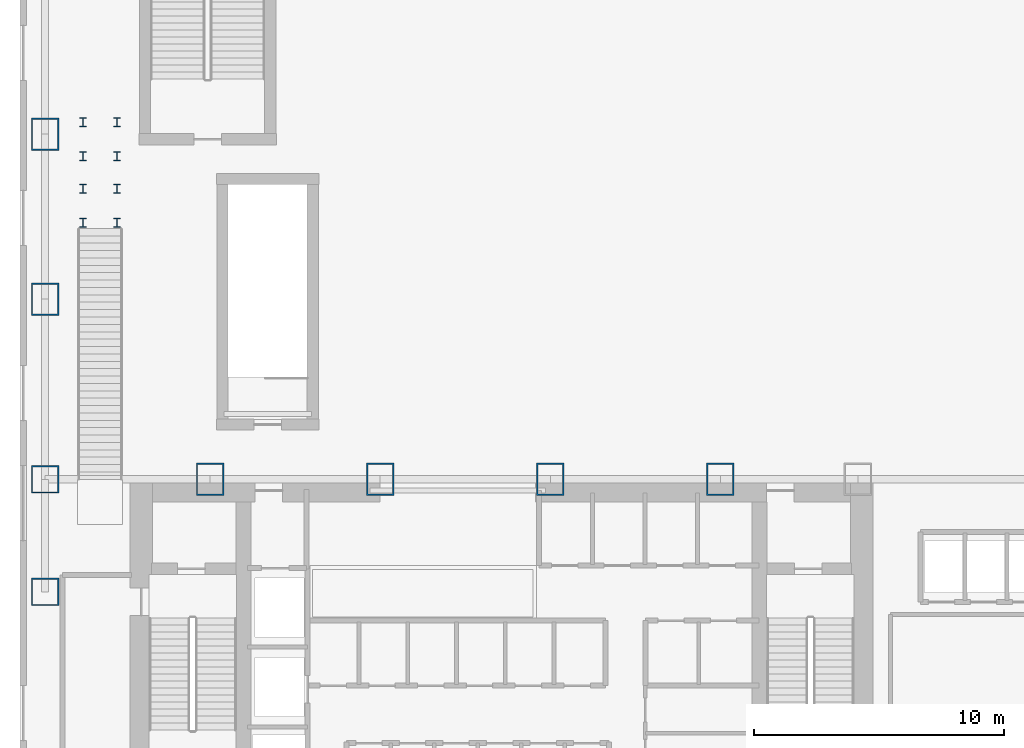
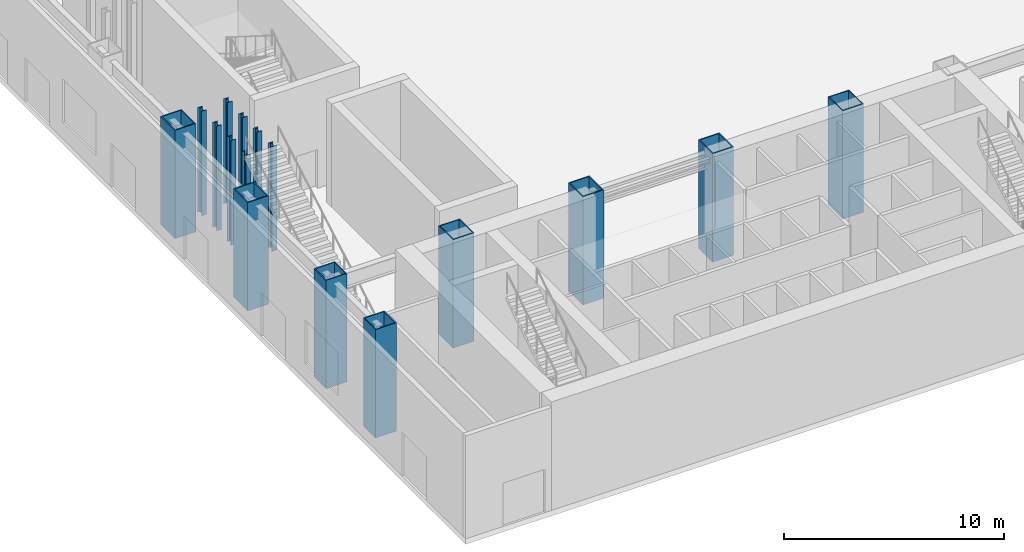
# One storey, part 1 of 25: 16 columns.
"""IFC4 building model written with IfcOpenShell, lengths in metres."""

from ifc_helpers import new_model, si_unit, derived_unit, direction, frame, origin, origin_2d, place, context, subcontext, project, spatial, hollow_rectangle, i_section, extrude, source, transform, mapped, material, material_profile, profile_set, type_object, element, save


model = new_model("IFC4")

# Units and contexts
model_context = context("Model", 3, precision=1e-05, world=origin(), true_north=direction((0.0, 1.0)))
body_context = subcontext(model_context, "Body", "Model", "MODEL_VIEW")
ifc_project = project(units=[si_unit("LENGTHUNIT", "METRE"), si_unit("AREAUNIT", "SQUARE_METRE"), si_unit("VOLUMEUNIT", "CUBIC_METRE"), si_unit("PLANEANGLEUNIT", "RADIAN"), si_unit("MASSUNIT", "GRAM", prefix="KILO"), derived_unit("THERMALTRANSMITTANCEUNIT", [(si_unit("POWERUNIT", "WATT"), 1), (si_unit("LENGTHUNIT", "METRE"), -2), (si_unit("THERMODYNAMICTEMPERATUREUNIT", "KELVIN"), -1)])], contexts=[model_context])

# Site, building, storey
site_placement = place(None, origin())
site = spatial("IfcSite", under=ifc_project, at=site_placement, CompositionType="ELEMENT")
building_placement = place(site_placement, origin())
building = spatial("IfcBuilding", under=site, at=building_placement, Name="Skarnbrae Concourse Arena and Tower", CompositionType="ELEMENT")
storey_placement = place(building_placement, origin())
storey = spatial("IfcBuildingStorey", under=building, at=storey_placement, Name="L00", CompositionType="ELEMENT", Elevation=0.0)

# Columns
ifc_material = material(Name="Steel CSA G40.21 350W", Category="steel")
ifc_material_profile_1 = material_profile(ifc_material, hollow_rectangle(XDim=1.10009765625, YDim=1.10009765625, WallThickness=0.050048828125, at=origin_2d()), Name="BOX1100X1100X50")
ifc_profile_set_1 = profile_set([ifc_material_profile_1], Name="Steel CSA G40.21 350W")
column_type_1 = type_object("IfcColumnType", Name="COL-MEGA-BOX1100", PredefinedType="PILASTER", material=ifc_profile_set_1)
shared_shape_1 = source(origin(), body_context, "Body", "SweptSolid", [
    extrude(hollow_rectangle(XDim=1.10009765625, YDim=1.10009765625, WallThickness=0.050048828125, at=origin_2d()), origin(), (0.0, 0.0, 1.0), 6.0),
])
for number, where, z_axis, x_axis, name in (
    (1, (1.0, 9.5, 0.0), (0.0, 0.0, 1.0), (1.0, 0.0, 0.0), "L00 Podium mega-column MC-W0"),
    (2, (1.0, 14.0, 0.0), (0.0, 0.0, 1.0), (1.0, 0.0, 0.0), "L00 Podium mega-column MC-W1"),
):
    element("IfcColumn", number, at=place(storey_placement, frame(where, z_axis=z_axis, x_axis=x_axis)), inside=storey, type_object=column_type_1, Name=name, PredefinedType="PILASTER", context=body_context, shape_type="MappedRepresentation", body=[
        mapped(shared_shape_1, transform((0.0, 0.0, 0.0))),
    ])
ifc_material_profile_2 = material_profile(ifc_material, hollow_rectangle(XDim=1.10009765625, YDim=1.300048828125, WallThickness=0.054931640625, at=origin_2d()), Name="BOX1300X1100X55")
ifc_profile_set_2 = profile_set([ifc_material_profile_2], Name="Steel CSA G40.21 350W")
column_type_2 = type_object("IfcColumnType", Name="COL-MEGA-BOX1300", PredefinedType="PILASTER", material=ifc_profile_set_2)
shared_shape_2 = source(origin(), body_context, "Body", "SweptSolid", [
    extrude(hollow_rectangle(XDim=1.10009765625, YDim=1.300048828125, WallThickness=0.054931640625, at=origin_2d()), origin(), (0.0, 0.0, 1.0), 6.0),
])
for number, where, z_axis, x_axis, name in (
    (3, (1.0, 21.199951171875, 0.0), (0.0, 0.0, 1.0), (1.0, 0.0, 0.0), "L00 Podium mega-column MC-W2"),
    (4, (1.0, 27.800048828125, 0.0), (0.0, 0.0, 1.0), (1.0, 0.0, 0.0), "L00 Podium mega-column MC-W3"),
    (5, (7.60009765625, 14.0, 0.0), (0.0, 0.0, 1.0), (1.0, 0.0, 0.0), "L00 Podium mega-column MC-S2"),
    (6, (14.39990234375, 14.0, 0.0), (0.0, 0.0, 1.0), (1.0, 0.0, 0.0), "L00 Podium mega-column MC-S3"),
    (7, (21.199951171875, 14.0, 0.0), (0.0, 0.0, 1.0), (1.0, 0.0, 0.0), "L00 Podium mega-column MC-S4"),
    (8, (28.0, 14.0, 0.0), (0.0, 0.0, 1.0), (1.0, 0.0, 0.0), "L00 Podium mega-column MC-S5"),
):
    element("IfcColumn", number, at=place(storey_placement, frame(where, z_axis=z_axis, x_axis=x_axis)), inside=storey, type_object=column_type_2, Name=name, PredefinedType="PILASTER", context=body_context, shape_type="MappedRepresentation", body=[
        mapped(shared_shape_2, transform((0.0, 0.0, 0.0))),
    ])
ifc_material_profile_3 = material_profile(ifc_material, i_section(OverallWidth=0.257080078125, OverallDepth=0.363037109375, WebThickness=0.012939453125, FlangeThickness=0.021728515625, at=origin_2d()), Name="W360X122")
ifc_profile_set_3 = profile_set([ifc_material_profile_3], Name="Steel CSA G40.21 350W")
column_type_3 = type_object("IfcColumnType", Name="COL-POD-W360X122", PredefinedType="COLUMN", material=ifc_profile_set_3)
shared_shape_3 = source(origin(), body_context, "Body", "SweptSolid", [
    extrude(i_section(OverallWidth=0.257080078125, OverallDepth=0.363037109375, WebThickness=0.012939453125, FlangeThickness=0.021728515625, at=origin_2d()), origin(), (0.0, 0.0, 1.0), 5.800048828125),
])
for number, where, z_axis, x_axis, name in (
    (9, (2.52001953125, 24.25, 0.0), (0.0, 0.0, 1.0), (1.0, 0.0, 0.0), "L00 Concourse stair ST-CONC-2-L00 TOP post 11"),
    (10, (2.52001953125, 25.610107421875, 0.0), (0.0, 0.0, 1.0), (1.0, 0.0, 0.0), "L00 Concourse stair ST-CONC-2-L00 TOP post 12"),
    (11, (3.8798828125, 24.25, 0.0), (0.0, 0.0, 1.0), (1.0, 0.0, 0.0), "L00 Concourse stair ST-CONC-2-L00 TOP post 21"),
    (12, (3.8798828125, 25.610107421875, 0.0), (0.0, 0.0, 1.0), (1.0, 0.0, 0.0), "L00 Concourse stair ST-CONC-2-L00 TOP post 22"),
    (13, (2.52001953125, 26.919921875, 0.0), (0.0, 0.0, 1.0), (1.0, 0.0, 0.0), "L00 Concourse stair ST-CONC-2-L01 BOT post 11"),
    (14, (2.52001953125, 28.280029296875, 0.0), (0.0, 0.0, 1.0), (1.0, 0.0, 0.0), "L00 Concourse stair ST-CONC-2-L01 BOT post 12"),
    (15, (3.8798828125, 26.919921875, 0.0), (0.0, 0.0, 1.0), (1.0, 0.0, 0.0), "L00 Concourse stair ST-CONC-2-L01 BOT post 21"),
    (16, (3.8798828125, 28.280029296875, 0.0), (0.0, 0.0, 1.0), (1.0, 0.0, 0.0), "L00 Concourse stair ST-CONC-2-L01 BOT post 22"),
):
    element("IfcColumn", number, at=place(storey_placement, frame(where, z_axis=z_axis, x_axis=x_axis)), inside=storey, type_object=column_type_3, Name=name, PredefinedType="COLUMN", context=body_context, shape_type="MappedRepresentation", body=[
        mapped(shared_shape_3, transform((0.0, 0.0, 0.0))),
    ])

save(model, "model.ifc")
